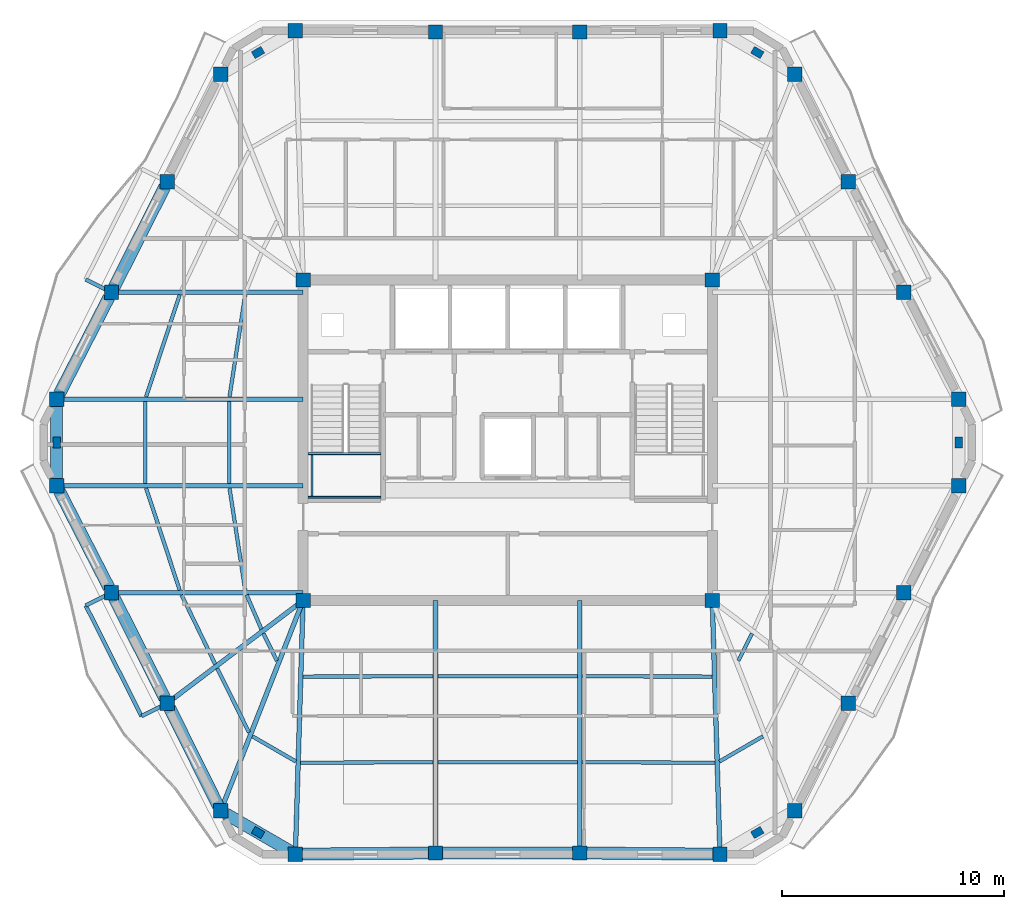
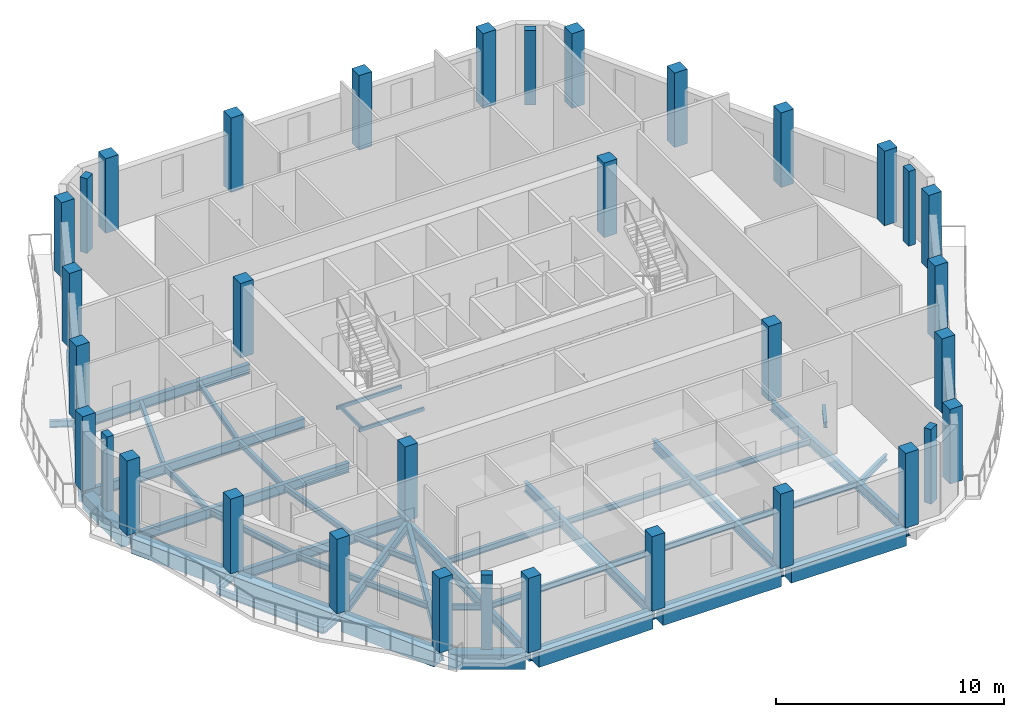
# One storey, part 1 of 11: 46 beams, 34 columns.
"""IFC4 building model written with IfcOpenShell, lengths in metres."""

import ifcopenshell
import ifcopenshell.guid

model = None  # the IFC model being written
_history = None  # IfcOwnerHistory: only IFC2X3 demands one
_inside = {}  # id of a spatial element -> (the spatial element, [elements in it])
_under = {}  # id of a project, library or spatial element -> (it, [spatial elements below it])
_declared = {}  # id of a project -> (the project, [libraries it declares])
_typed = {}  # id of a type object -> (the type object, [elements of that type])
_made_of = {}  # id of a material, layer set ... -> (it, [elements and type objects made of it])


def new_model(schema):
    """Start an empty IFC model of exactly this schema.

    Asked for "IFC4X3", IfcOpenShell would pick the latest addendum, in which some entities
    have other attributes; the version numbers below select the first issue.
    IFC2X3 requires an IfcOwnerHistory on every rooted entity: one is made here for all.
    """
    global model, _history
    if schema == "IFC4X3":
        model = ifcopenshell.file(schema_version=(4, 3, 0, 0))
    else:
        model = ifcopenshell.file(schema=schema)
    _inside.clear()
    _under.clear()
    _declared.clear()
    _typed.clear()
    _made_of.clear()
    _history = None
    if model.schema == "IFC2X3":
        org = make("IfcOrganization", Name="unknown")
        user = make(
            "IfcPersonAndOrganization",
            ThePerson=make("IfcPerson", FamilyName="unknown"),
            TheOrganization=org,
        )
        app = make(
            "IfcApplication",
            ApplicationDeveloper=org,
            Version="unknown",
            ApplicationFullName="unknown",
            ApplicationIdentifier="unknown",
        )
        _history = make(
            "IfcOwnerHistory",
            OwningUser=user,
            OwningApplication=app,
            ChangeAction="ADDED",
            CreationDate=0,
        )
    return model


def make(cls, **values):
    """One entity of the class cls with the attributes given. An attribute that is None is left unset."""
    return model.create_entity(
        cls, **{name: value for name, value in values.items() if value is not None}
    )


def rooted(cls, **values):
    """An entity with a GlobalId (a new one), such as an element, a storey or a relation."""
    return make(cls, GlobalId=ifcopenshell.guid.new(), OwnerHistory=_history, **values)


def si_unit(unit_type, name, prefix=None):
    """IfcSIUnit, for example si_unit("LENGTHUNIT", "METRE", prefix="MILLI")."""
    return make("IfcSIUnit", UnitType=unit_type, Prefix=prefix, Name=name)


def assignment(units):
    """IfcUnitAssignment: the units of a project."""
    return None if units is None else make("IfcUnitAssignment", Units=units)


def point(xyz):
    """IfcCartesianPoint."""
    return None if xyz is None else make("IfcCartesianPoint", Coordinates=xyz)


def direction(xyz):
    """IfcDirection."""
    return None if xyz is None else make("IfcDirection", DirectionRatios=xyz)


def frame(location, z_axis=None, x_axis=None):
    """IfcAxis2Placement3D, a coordinate frame: its origin and axes. An axis left out is left unset."""
    return make(
        "IfcAxis2Placement3D",
        Location=point(location),
        Axis=direction(z_axis),
        RefDirection=direction(x_axis),
    )


def frame_2d(location, x_axis=None):
    """IfcAxis2Placement2D, a coordinate frame in the plane: its origin and x axis."""
    return make(
        "IfcAxis2Placement2D", Location=point(location), RefDirection=direction(x_axis)
    )


def origin():
    """The frame at (0, 0, 0) with its axes left unset."""
    return frame((0.0, 0.0, 0.0))


def origin_2d():
    """The frame at (0, 0) in the plane with its x axis left unset."""
    return frame_2d((0.0, 0.0))


def place(relative_to, where):
    """IfcLocalPlacement: puts the frame where relative to a parent placement (None: the world)."""
    return make(
        "IfcLocalPlacement", PlacementRelTo=relative_to, RelativePlacement=where
    )


def context(
    kind, dimensions, precision=None, world=None, true_north=None, identifier=None
):
    """IfcGeometricRepresentationContext, for example the 3D "Model" context."""
    return make(
        "IfcGeometricRepresentationContext",
        ContextIdentifier=identifier,
        ContextType=kind,
        CoordinateSpaceDimension=dimensions,
        Precision=precision,
        WorldCoordinateSystem=world,
        TrueNorth=true_north,
    )


def subcontext(parent, identifier, kind, view, scale=None):
    """IfcGeometricRepresentationSubContext, for example "Body" below "Model"."""
    return make(
        "IfcGeometricRepresentationSubContext",
        ContextIdentifier=identifier,
        ContextType=kind,
        ParentContext=parent,
        TargetScale=scale,
        TargetView=view,
    )


def project(units=None, contexts=None):
    """IfcProject with its units and contexts."""
    return rooted(
        "IfcProject",
        Name="project",
        RepresentationContexts=contexts,
        UnitsInContext=assignment(units),
    )


def spatial(cls, under=None, at=None, **own):
    """A site, building, storey or space (cls), placed at a placement, below another one or the project."""
    s = rooted(cls, ObjectPlacement=at, **own)
    if under is not None:
        _under.setdefault(under.id(), (under, []))[1].append(s)
    return s


def profile(cls, at=None, kind="AREA", **sizes):
    """A parametric profile (cls). Its sizes go by their IFC names, for example OverallWidth=200.0."""
    return make(cls, ProfileType=kind, Position=at, **sizes)


def rectangle(**sizes):
    """IfcRectangleProfileDef."""
    return profile("IfcRectangleProfileDef", **sizes)


def hollow_rectangle(**sizes):
    """IfcRectangleHollowProfileDef."""
    return profile("IfcRectangleHollowProfileDef", **sizes)


def i_section(**sizes):
    """IfcIShapeProfileDef."""
    return profile("IfcIShapeProfileDef", **sizes)


def extrude(swept, where, along, depth):
    """IfcExtrudedAreaSolid: the profile swept, set in the frame where, extruded along a direction by depth."""
    return make(
        "IfcExtrudedAreaSolid",
        SweptArea=swept,
        Position=where,
        ExtrudedDirection=direction(along),
        Depth=depth,
    )


def shape(context_of_items, identifier, shape_type, items):
    """IfcShapeRepresentation: the items that make up one representation, for example the "Body"."""
    return make(
        "IfcShapeRepresentation",
        ContextOfItems=context_of_items,
        RepresentationIdentifier=identifier,
        RepresentationType=shape_type,
        Items=items,
    )


def material(Name=None, Category=None):
    """IfcMaterial."""
    return make("IfcMaterial", Name=Name, Category=Category)


def material_profile(
    of_material, cross_section, Name=None, Category=None, Priority=None
):
    """IfcMaterialProfile: a cross section and its material."""
    return make(
        "IfcMaterialProfile",
        Name=Name,
        Material=of_material,
        Profile=cross_section,
        Priority=Priority,
        Category=Category,
    )


def profile_set(profiles, Name=None, composite=None):
    """IfcMaterialProfileSet."""
    return make(
        "IfcMaterialProfileSet",
        Name=Name,
        MaterialProfiles=profiles,
        CompositeProfile=composite,
    )


def made_of(thing, what):
    """Note that an element or type object is made of a material, layer set ...; save() writes the relation."""
    if what is not None:
        _made_of.setdefault(what.id(), (what, []))[1].append(thing)
    return thing


def type_object(cls, material=None, **own):
    """A type object (cls), such as IfcWallType, which elements share."""
    return made_of(rooted(cls, **own), material)


def element(
    cls,
    number,
    at=None,
    inside=None,
    cuts=None,
    type_object=None,
    material=None,
    context=None,
    identifier="Body",
    shape_type=None,
    held_by="IfcProductDefinitionShape",
    body=None,
    shapes=None,
    **own,
):
    """One element of the class cls, such as IfcWall. Its Tag is "e" and its number.

    at: its placement. inside: the storey or other place that contains it. cuts: it is an
    opening in that element (IfcRelVoidsElement). A single representation is given by context,
    identifier, shape_type and body (its items); several are given by shapes. held_by: the class
    of the entity that holds the representations. save() writes the other relations.
    """
    e = rooted(cls, Tag="e%d" % number, ObjectPlacement=at, **own)
    if body is not None:
        shapes = [shape(context, identifier, shape_type, body)]
    if shapes is not None:
        e.Representation = make(held_by, Representations=shapes)
    if inside is not None:
        _inside.setdefault(inside.id(), (inside, []))[1].append(e)
    if cuts is not None:
        rooted(
            "IfcRelVoidsElement", RelatingBuildingElement=cuts, RelatedOpeningElement=e
        )
    if type_object is not None:
        _typed.setdefault(type_object.id(), (type_object, []))[1].append(e)
    return made_of(e, material)


def aggregate(whole, parts):
    """IfcRelAggregates: a whole, such as a stair, and the parts it consists of."""
    return rooted("IfcRelAggregates", RelatingObject=whole, RelatedObjects=parts)


def save(model, path):
    """Write the relations noted so far, then the file.

    IfcRelAggregates (storeys below a building ...), IfcRelContainedInSpatialStructure (elements
    in a storey), IfcRelDefinesByType, IfcRelAssociatesMaterial and IfcRelDeclares: one each for
    every whole, place, type object, material and project.
    """
    for whole, parts in _under.values():
        aggregate(whole, parts)
    for where, things in _inside.values():
        rooted(
            "IfcRelContainedInSpatialStructure",
            RelatedElements=things,
            RelatingStructure=where,
        )
    for kind, things in _typed.values():
        rooted("IfcRelDefinesByType", RelatedObjects=things, RelatingType=kind)
    for what, things in _made_of.values():
        rooted("IfcRelAssociatesMaterial", RelatedObjects=things, RelatingMaterial=what)
    for by, libraries in _declared.values():
        rooted("IfcRelDeclares", RelatingContext=by, RelatedDefinitions=libraries)
    model.write(path)


model = new_model("IFC4")

# Units and contexts
model_context = context("Model", 3, precision=1e-05, world=origin(), true_north=direction((0.0, 1.0)))
body_context = subcontext(model_context, "Body", "Model", "MODEL_VIEW")
ifc_project = project(units=[si_unit("LENGTHUNIT", "METRE"), si_unit("AREAUNIT", "SQUARE_METRE"), si_unit("VOLUMEUNIT", "CUBIC_METRE"), si_unit("PLANEANGLEUNIT", "RADIAN"), si_unit("MASSUNIT", "GRAM", prefix="KILO")], contexts=[model_context])

# Site, building, storey
site_placement = place(None, origin())
site = spatial("IfcSite", under=ifc_project, at=site_placement, CompositionType="ELEMENT")
building_placement = place(site_placement, origin())
building = spatial("IfcBuilding", under=site, at=building_placement, Name="Cinnabar Lancet Tower", CompositionType="ELEMENT")
storey_placement = place(building_placement, frame((0.0, 0.0, 283.5)))
storey = spatial("IfcBuildingStorey", under=building, at=storey_placement, Name="L75", CompositionType="ELEMENT", Elevation=283.5)

# Columns
ifc_material_1 = material(Name="Concrete C50/60", Category="concrete")
ifc_material_profile_1 = material_profile(ifc_material_1, rectangle(XDim=0.64990234375, YDim=0.64990234375, at=origin_2d()), Name="RC-COL 650x650")
ifc_profile_set_1 = profile_set([ifc_material_profile_1], Name="Concrete C50/60")
column_type_1 = type_object("IfcColumnType", Name="STR-COL-CORE-650B", PredefinedType="COLUMN", material=ifc_profile_set_1)
for number, where, z_axis, x_axis, name in (
    (1, (23.175048828125, 18.675048828125, 0.0), (0.0, 0.0, 1.0), (1.0, 0.0, 0.0), "L75 Core Corner Column SW"),
    (2, (41.625, 18.675048828125, 0.0), (0.0, 0.0, 1.0), (1.0, 0.0, 0.0), "L75 Core Corner Column SE"),
    (3, (41.625, 33.125, 0.0), (0.0, 0.0, 1.0), (1.0, 0.0, 0.0), "L75 Core Corner Column NE"),
    (4, (23.175048828125, 33.125, 0.0), (0.0, 0.0, 1.0), (1.0, 0.0, 0.0), "L75 Core Corner Column NW"),
):
    element("IfcColumn", number, at=place(storey_placement, frame(where, z_axis=z_axis, x_axis=x_axis)), inside=storey, type_object=column_type_1, Name=name, PredefinedType="COLUMN", context=body_context, shape_type="SweptSolid", body=[
        extrude(rectangle(XDim=0.64990234375, YDim=0.64990234375, at=origin_2d()), origin(), (0.0, 0.0, 1.0), 4.0),
    ])
ifc_material_2 = material(Name="Concrete C60/75", Category="concrete")
ifc_material_profile_2 = material_profile(ifc_material_2, rectangle(XDim=0.5, YDim=0.35009765625, at=origin_2d()), Name="RC-PIL 500x350")
ifc_profile_set_2 = profile_set([ifc_material_profile_2], Name="Concrete C60/75")
column_type_2 = type_object("IfcColumnType", Name="STR-COL-PIL-500", PredefinedType="PILASTER", material=ifc_profile_set_2)
for number, where, z_axis, x_axis, name in (
    (5, (21.14306640625, 8.215087890625, 0.0), (0.0, 0.0, 1.0), (0.865256437757, -0.501329529272, 0.0), "L75 Chamfered Corner Pilaster 1"),
    (6, (43.656982421875, 8.215087890625, 0.0), (0.0, 0.0, 1.0), (0.865256437757, 0.501329529272, 0.0), "L75 Chamfered Corner Pilaster 2"),
    (7, (52.737060546875, 25.800048828125, 0.0), (0.0, 0.0, 1.0), (0.0, 1.0, 0.0), "L75 Chamfered Corner Pilaster 3"),
    (8, (43.656982421875, 43.385009765625, 0.0), (0.0, 0.0, 1.0), (-0.865256437757, 0.501329529272, 0.0), "L75 Chamfered Corner Pilaster 4"),
    (9, (21.14306640625, 43.385009765625, 0.0), (0.0, 0.0, 1.0), (-0.865256437757, -0.501329529272, 0.0), "L75 Chamfered Corner Pilaster 5"),
    (10, (12.06298828125, 25.800048828125, 0.0), (0.0, 0.0, 1.0), (0.0, -1.0, 0.0), "L75 Chamfered Corner Pilaster 6"),
):
    element("IfcColumn", number, at=place(storey_placement, frame(where, z_axis=z_axis, x_axis=x_axis)), inside=storey, type_object=column_type_2, Name=name, PredefinedType="PILASTER", context=body_context, shape_type="SweptSolid", body=[
        extrude(rectangle(XDim=0.5, YDim=0.35009765625, at=origin_2d()), origin(), (0.0, 0.0, 1.0), 4.0),
    ])
ifc_material_3 = material(Name="Concrete C50/60", Category="concrete")
ifc_material_profile_3 = material_profile(ifc_material_3, rectangle(XDim=0.64990234375, YDim=0.64990234375, at=origin_2d()), Name="RC-COL 650x650")
ifc_profile_set_3 = profile_set([ifc_material_profile_3], Name="Concrete C50/60")
column_type_3 = type_object("IfcColumnType", Name="STR-COL-TUBE-650", PredefinedType="COLUMN", material=ifc_profile_set_3)
for number, where, z_axis, x_axis, name in (
    (11, (22.827880859375, 7.239013671875, 0.0), (0.0, 0.0, 1.0), (1.0, 0.0, 0.0), "L75 Perimeter Tube Column 1"),
    (12, (29.14599609375, 7.2919921875, 0.0), (0.0, 0.0, 1.0), (1.0, 0.0, 0.0), "L75 Perimeter Tube Column 2"),
    (13, (35.654052734375, 7.2919921875, 0.0), (0.0, 0.0, 1.0), (1.0, 0.0, 0.0), "L75 Perimeter Tube Column 3"),
    (14, (41.971923828125, 7.239013671875, 0.0), (0.0, 0.0, 1.0), (1.0, 0.0, 0.0), "L75 Perimeter Tube Column 4"),
    (15, (45.341064453125, 9.19091796875, 0.0), (0.0, 0.0, 1.0), (1.0, 0.0, 0.0), "L75 Perimeter Tube Column 5"),
    (16, (47.7490234375, 14.0458984375, 0.0), (0.0, 0.0, 1.0), (1.0, 0.0, 0.0), "L75 Perimeter Tube Column 6"),
    (17, (50.263916015625, 19.032958984375, 0.0), (0.0, 0.0, 1.0), (1.0, 0.0, 0.0), "L75 Perimeter Tube Column 7"),
    (18, (52.737060546875, 23.844970703125, 0.0), (0.0, 0.0, 1.0), (1.0, 0.0, 0.0), "L75 Perimeter Tube Column 8"),
    (19, (52.737060546875, 27.7548828125, 0.0), (0.0, 0.0, 1.0), (1.0, 0.0, 0.0), "L75 Perimeter Tube Column 9"),
    (20, (50.263916015625, 32.56689453125, 0.0), (0.0, 0.0, 1.0), (1.0, 0.0, 0.0), "L75 Perimeter Tube Column 10"),
    (21, (47.7490234375, 37.553955078125, 0.0), (0.0, 0.0, 1.0), (1.0, 0.0, 0.0), "L75 Perimeter Tube Column 11"),
    (22, (45.341064453125, 42.408935546875, 0.0), (0.0, 0.0, 1.0), (1.0, 0.0, 0.0), "L75 Perimeter Tube Column 12"),
    (23, (41.971923828125, 44.361083984375, 0.0), (0.0, 0.0, 1.0), (1.0, 0.0, 0.0), "L75 Perimeter Tube Column 13"),
    (24, (35.654052734375, 44.30810546875, 0.0), (0.0, 0.0, 1.0), (1.0, 0.0, 0.0), "L75 Perimeter Tube Column 14"),
    (25, (29.14599609375, 44.30810546875, 0.0), (0.0, 0.0, 1.0), (1.0, 0.0, 0.0), "L75 Perimeter Tube Column 15"),
    (26, (22.827880859375, 44.361083984375, 0.0), (0.0, 0.0, 1.0), (1.0, 0.0, 0.0), "L75 Perimeter Tube Column 16"),
    (27, (19.458984375, 42.408935546875, 0.0), (0.0, 0.0, 1.0), (1.0, 0.0, 0.0), "L75 Perimeter Tube Column 17"),
    (28, (17.051025390625, 37.553955078125, 0.0), (0.0, 0.0, 1.0), (1.0, 0.0, 0.0), "L75 Perimeter Tube Column 18"),
    (29, (14.535888671875, 32.56689453125, 0.0), (0.0, 0.0, 1.0), (1.0, 0.0, 0.0), "L75 Perimeter Tube Column 19"),
    (30, (12.06298828125, 27.7548828125, 0.0), (0.0, 0.0, 1.0), (1.0, 0.0, 0.0), "L75 Perimeter Tube Column 20"),
    (31, (12.06298828125, 23.844970703125, 0.0), (0.0, 0.0, 1.0), (1.0, 0.0, 0.0), "L75 Perimeter Tube Column 21"),
    (32, (14.535888671875, 19.032958984375, 0.0), (0.0, 0.0, 1.0), (1.0, 0.0, 0.0), "L75 Perimeter Tube Column 22"),
    (33, (17.051025390625, 14.0458984375, 0.0), (0.0, 0.0, 1.0), (1.0, 0.0, 0.0), "L75 Perimeter Tube Column 23"),
    (34, (19.458984375, 9.19091796875, 0.0), (0.0, 0.0, 1.0), (1.0, 0.0, 0.0), "L75 Perimeter Tube Column 24"),
):
    element("IfcColumn", number, at=place(storey_placement, frame(where, z_axis=z_axis, x_axis=x_axis)), inside=storey, type_object=column_type_3, Name=name, PredefinedType="COLUMN", context=body_context, shape_type="SweptSolid", body=[
        extrude(rectangle(XDim=0.64990234375, YDim=0.64990234375, at=origin_2d()), origin(), (0.0, 0.0, 1.0), 4.0),
    ])

# Beams
ifc_material_4 = material(Name="Structural steel S355", Category="steel")
ifc_material_profile_4 = material_profile(ifc_material_4, i_section(OverallWidth=0.1650390625, OverallDepth=0.303466796875, WebThickness=0.006103515625, FlangeThickness=0.01025390625, FilletRadius=0.0087890625, at=origin_2d()), Name="UKB 305x165x40")
ifc_profile_set_4 = profile_set([ifc_material_profile_4], Name="Structural steel S355")
beam_type_1 = type_object("IfcBeamType", Name="STR-BM-JST-305", PredefinedType="JOIST", material=ifc_profile_set_4)
beam_1_placement = place(storey_placement, frame((16.097900390625, 23.739990234375, -0.35205078125), z_axis=(0.312536616989, -0.949905712711, 0.0), x_axis=(0.949905712711, 0.312536616989, 0.0)))
element("IfcBeam", 35, at=beam_1_placement, inside=storey, type_object=beam_type_1, Name="L75 Secondary Floor Joist 1", PredefinedType="JOIST", context=body_context, shape_type="SweptSolid", body=[
    extrude(i_section(OverallWidth=0.1650390625, OverallDepth=0.303466796875, WebThickness=0.006103515625, FlangeThickness=0.01025390625, FilletRadius=0.0087890625, at=origin_2d()), origin(), (0.0, 0.0, 1.0), 4.8447265625),
])
beam_2_placement = place(storey_placement, frame((19.85791015625, 23.739990234375, -0.35205078125), z_axis=(0.152262059154, -0.988340156698, 0.0), x_axis=(0.988340156698, 0.152262059154, 0.0)))
element("IfcBeam", 36, at=beam_2_placement, inside=storey, type_object=beam_type_1, Name="L75 Secondary Floor Joist 2", PredefinedType="JOIST", context=body_context, shape_type="SweptSolid", body=[
    extrude(i_section(OverallWidth=0.1650390625, OverallDepth=0.303466796875, WebThickness=0.006103515625, FlangeThickness=0.01025390625, FilletRadius=0.0087890625, at=origin_2d()), origin(), (0.0, 0.0, 1.0), 4.65625),
])
beam_3_placement = place(storey_placement, frame((17.697021484375, 18.927978515625, -0.35205078125), z_axis=(0.43610936109, -0.899893674369, 0.0), x_axis=(0.899893674369, 0.43610936109, 0.0)))
element("IfcBeam", 37, at=beam_3_placement, inside=storey, type_object=beam_type_1, Name="L75 Secondary Floor Joist 3", PredefinedType="JOIST", context=body_context, shape_type="SweptSolid", body=[
    extrude(i_section(OverallWidth=0.1650390625, OverallDepth=0.303466796875, WebThickness=0.006103515625, FlangeThickness=0.01025390625, FilletRadius=0.0087890625, at=origin_2d()), origin(), (0.0, 0.0, 1.0), 3.467041015625),
])
beam_4_placement = place(storey_placement, frame((20.62890625, 18.927978515625, -0.35205078125), z_axis=(0.396302440144, -0.91812002262, 0.0), x_axis=(0.91812002262, 0.396302440144, 0.0)))
element("IfcBeam", 38, at=beam_4_placement, inside=storey, type_object=beam_type_1, Name="L75 Secondary Floor Joist 4", PredefinedType="JOIST", context=body_context, shape_type="SweptSolid", body=[
    extrude(i_section(OverallWidth=0.1650390625, OverallDepth=0.303466796875, WebThickness=0.006103515625, FlangeThickness=0.01025390625, FilletRadius=0.0087890625, at=origin_2d()), origin(), (0.0, 0.0, 1.0), 1.6806640625),
])
beam_5_placement = place(storey_placement, frame((19.302978515625, 15.616943359375, -0.35205078125), z_axis=(0.444330443712, -0.895862967641, 0.0), x_axis=(0.895862967641, 0.444330443712, 0.0)))
element("IfcBeam", 39, at=beam_5_placement, inside=storey, type_object=beam_type_1, Name="L75 Secondary Floor Joist 5", PredefinedType="JOIST", context=body_context, shape_type="SweptSolid", body=[
    extrude(i_section(OverallWidth=0.1650390625, OverallDepth=0.303466796875, WebThickness=0.006103515625, FlangeThickness=0.01025390625, FilletRadius=0.0087890625, at=origin_2d()), origin(), (0.0, 0.0, 1.0), 3.220458984375),
])
beam_6_placement = place(storey_placement, frame((21.385009765625, 17.19091796875, -0.35205078125), z_axis=(0.444093192127, -0.89598060063, 0.0), x_axis=(0.89598060063, 0.444093192127, 0.0)))
element("IfcBeam", 40, at=beam_6_placement, inside=storey, type_object=beam_type_1, Name="L75 Secondary Floor Joist 6", PredefinedType="JOIST", context=body_context, shape_type="SweptSolid", body=[
    extrude(i_section(OverallWidth=0.1650390625, OverallDepth=0.303466796875, WebThickness=0.006103515625, FlangeThickness=0.01025390625, FilletRadius=0.0087890625, at=origin_2d()), origin(), (0.0, 0.0, 1.0), 1.378173828125),
])
beam_7_placement = place(storey_placement, frame((20.887939453125, 12.552001953125, -0.35205078125), z_axis=(0.865426285481, -0.501036270542, 0.0), x_axis=(0.501036270542, 0.865426285481, 0.0)))
element("IfcBeam", 41, at=beam_7_placement, inside=storey, type_object=beam_type_1, Name="L75 Secondary Floor Joist 7", PredefinedType="JOIST", context=body_context, shape_type="SweptSolid", body=[
    extrude(i_section(OverallWidth=0.1650390625, OverallDepth=0.303466796875, WebThickness=0.006103515625, FlangeThickness=0.01025390625, FilletRadius=0.0087890625, at=origin_2d()), origin(), (0.0, 0.0, 1.0), 2.267333984375),
])
beam_8_placement = place(storey_placement, frame((23.05810546875, 11.35693359375, -0.35205078125), z_axis=(0.999985712428, 0.005345553266, 0.0), x_axis=(-0.005345553266, 0.999985712428, 0.0)))
element("IfcBeam", 42, at=beam_8_placement, inside=storey, type_object=beam_type_1, Name="L75 Secondary Floor Joist 8", PredefinedType="JOIST", context=body_context, shape_type="SweptSolid", body=[
    extrude(i_section(OverallWidth=0.1650390625, OverallDepth=0.303466796875, WebThickness=0.006103515625, FlangeThickness=0.01025390625, FilletRadius=0.0087890625, at=origin_2d()), origin(), (0.0, 0.0, 1.0), 5.98291015625),
])
beam_9_placement = place(storey_placement, frame((23.176025390625, 15.243896484375, -0.35205078125), z_axis=(0.999996226008, 0.002747356738, 0.0), x_axis=(-0.002747356738, 0.999996226008, 0.0)))
element("IfcBeam", 43, at=beam_9_placement, inside=storey, type_object=beam_type_1, Name="L75 Secondary Floor Joist 9", PredefinedType="JOIST", context=body_context, shape_type="SweptSolid", body=[
    extrude(i_section(OverallWidth=0.1650390625, OverallDepth=0.303466796875, WebThickness=0.006103515625, FlangeThickness=0.01025390625, FilletRadius=0.0087890625, at=origin_2d()), origin(), (0.0, 0.0, 1.0), 5.864990234375),
])
for number, where, z_axis, x_axis, name in (
    (44, (29.2509765625, 11.389892578125, -0.35205078125), (1.0, 0.0, 0.0), (0.0, 1.0, 0.0), "L75 Secondary Floor Joist 10"),
    (45, (29.2509765625, 15.260009765625, -0.35205078125), (1.0, 0.0, 0.0), (0.0, 1.0, 0.0), "L75 Secondary Floor Joist 11"),
):
    element("IfcBeam", number, at=place(storey_placement, frame(where, z_axis=z_axis, x_axis=x_axis)), inside=storey, type_object=beam_type_1, Name=name, PredefinedType="JOIST", context=body_context, shape_type="SweptSolid", body=[
        extrude(i_section(OverallWidth=0.1650390625, OverallDepth=0.303466796875, WebThickness=0.006103515625, FlangeThickness=0.01025390625, FilletRadius=0.0087890625, at=origin_2d()), origin(), (0.0, 0.0, 1.0), 6.298095703125),
    ])
beam_10_placement = place(storey_placement, frame((35.759033203125, 11.388916015625, -0.35205078125), z_axis=(0.999985712428, -0.005345553266, 0.0), x_axis=(0.005345553266, 0.999985712428, 0.0)))
element("IfcBeam", 46, at=beam_10_placement, inside=storey, type_object=beam_type_1, Name="L75 Secondary Floor Joist 12", PredefinedType="JOIST", context=body_context, shape_type="SweptSolid", body=[
    extrude(i_section(OverallWidth=0.1650390625, OverallDepth=0.303466796875, WebThickness=0.006103515625, FlangeThickness=0.01025390625, FilletRadius=0.0087890625, at=origin_2d()), origin(), (0.0, 0.0, 1.0), 5.98291015625),
])
beam_11_placement = place(storey_placement, frame((35.759033203125, 15.260009765625, -0.35205078125), z_axis=(0.999996226008, -0.002747356738, 0.0), x_axis=(0.002747356738, 0.999996226008, 0.0)))
element("IfcBeam", 47, at=beam_11_placement, inside=storey, type_object=beam_type_1, Name="L75 Secondary Floor Joist 13", PredefinedType="JOIST", context=body_context, shape_type="SweptSolid", body=[
    extrude(i_section(OverallWidth=0.1650390625, OverallDepth=0.303466796875, WebThickness=0.006103515625, FlangeThickness=0.01025390625, FilletRadius=0.0087890625, at=origin_2d()), origin(), (0.0, 0.0, 1.0), 5.864990234375),
])
beam_12_placement = place(storey_placement, frame((41.949951171875, 11.416015625, -0.35205078125), z_axis=(0.865426285481, 0.501036270542, 0.0), x_axis=(-0.501036270542, 0.865426285481, 0.0)))
element("IfcBeam", 48, at=beam_12_placement, inside=storey, type_object=beam_type_1, Name="L75 Secondary Floor Joist 14", PredefinedType="JOIST", context=body_context, shape_type="SweptSolid", body=[
    extrude(i_section(OverallWidth=0.1650390625, OverallDepth=0.303466796875, WebThickness=0.006103515625, FlangeThickness=0.01025390625, FilletRadius=0.0087890625, at=origin_2d()), origin(), (0.0, 0.0, 1.0), 2.267333984375),
])
beam_13_placement = place(storey_placement, frame((42.802978515625, 15.9560546875, -0.35205078125), z_axis=(0.444093192127, 0.89598060063, 0.0), x_axis=(-0.89598060063, 0.444093192127, 0.0)))
element("IfcBeam", 49, at=beam_13_placement, inside=storey, type_object=beam_type_1, Name="L75 Secondary Floor Joist 16", PredefinedType="JOIST", context=body_context, shape_type="SweptSolid", body=[
    extrude(i_section(OverallWidth=0.1650390625, OverallDepth=0.303466796875, WebThickness=0.006103515625, FlangeThickness=0.01025390625, FilletRadius=0.0087890625, at=origin_2d()), origin(), (0.0, 0.0, 1.0), 1.378173828125),
])
beam_14_placement = place(storey_placement, frame((17.612060546875, 32.4619140625, -0.35205078125), z_axis=(-0.312551578319, -0.949900790025, 0.0), x_axis=(0.949900790025, -0.312551578319, 0.0)))
element("IfcBeam", 50, at=beam_14_placement, inside=storey, type_object=beam_type_1, Name="L75 Secondary Floor Joist 41", PredefinedType="JOIST", context=body_context, shape_type="SweptSolid", body=[
    extrude(i_section(OverallWidth=0.1650390625, OverallDepth=0.303466796875, WebThickness=0.006103515625, FlangeThickness=0.01025390625, FilletRadius=0.0087890625, at=origin_2d()), origin(), (0.0, 0.0, 1.0), 4.844482421875),
])
beam_15_placement = place(storey_placement, frame((20.56689453125, 32.4619140625, -0.35205078125), z_axis=(-0.152269949853, -0.988338941038, 0.0), x_axis=(0.988338941038, -0.152269949853, 0.0)))
element("IfcBeam", 51, at=beam_15_placement, inside=storey, type_object=beam_type_1, Name="L75 Secondary Floor Joist 42", PredefinedType="JOIST", context=body_context, shape_type="SweptSolid", body=[
    extrude(i_section(OverallWidth=0.1650390625, OverallDepth=0.303466796875, WebThickness=0.006103515625, FlangeThickness=0.01025390625, FilletRadius=0.0087890625, at=origin_2d()), origin(), (0.0, 0.0, 1.0), 4.656005859375),
])
for number, where, z_axis, x_axis, name in (
    (52, (16.06298828125, 27.64990234375, -0.35205078125), (0.0, -1.0, 0.0), (1.0, 0.0, 0.0), "L75 Secondary Floor Joist 43"),
    (53, (19.841064453125, 27.64990234375, -0.35205078125), (0.0, -1.0, 0.0), (1.0, 0.0, 0.0), "L75 Secondary Floor Joist 44"),
):
    element("IfcBeam", number, at=place(storey_placement, frame(where, z_axis=z_axis, x_axis=x_axis)), inside=storey, type_object=beam_type_1, Name=name, PredefinedType="JOIST", context=body_context, shape_type="SweptSolid", body=[
        extrude(i_section(OverallWidth=0.1650390625, OverallDepth=0.303466796875, WebThickness=0.006103515625, FlangeThickness=0.01025390625, FilletRadius=0.0087890625, at=origin_2d()), origin(), (0.0, 0.0, 1.0), 3.699951171875),
    ])
ifc_material_5 = material(Name="Structural steel S355", Category="steel")
ifc_material_profile_5 = material_profile(ifc_material_5, hollow_rectangle(XDim=0.10009765625, YDim=0.199951171875, WallThickness=0.008056640625, InnerFilletRadius=0.00390625, OuterFilletRadius=0.011962890625, at=origin_2d()), Name="RHS 200x100x8")
ifc_profile_set_5 = profile_set([ifc_material_profile_5], Name="Structural steel S355")
beam_type_2 = type_object("IfcBeamType", Name="STR-BM-LND-203", PredefinedType="BEAM", material=ifc_profile_set_5)
for number, where, z_axis, x_axis, name in (
    (54, (23.39990234375, 23.330078125, 1.699951171875), (1.0, 0.0, 0.0), (0.0, 1.0, 0.0), "L75 ST-1-L75 Landing Support Beam S"),
    (55, (23.39990234375, 25.294921875, 1.699951171875), (1.0, 0.0, 0.0), (0.0, 1.0, 0.0), "L75 ST-1-L75 Landing Support Beam N"),
):
    element("IfcBeam", number, at=place(storey_placement, frame(where, z_axis=z_axis, x_axis=x_axis)), inside=storey, type_object=beam_type_2, Name=name, PredefinedType="BEAM", context=body_context, shape_type="SweptSolid", body=[
        extrude(hollow_rectangle(XDim=0.10009765625, YDim=0.199951171875, WallThickness=0.008056640625, InnerFilletRadius=0.00390625, OuterFilletRadius=0.011962890625, at=origin_2d()), origin(), (0.0, 0.0, 1.0), 3.280029296875),
    ])
beam_16_placement = place(storey_placement, frame((23.580078125, 23.3798828125, 1.699951171875), z_axis=(0.0, 1.0, 0.0), x_axis=(-1.0, 0.0, 0.0)))
element("IfcBeam", 56, at=beam_16_placement, inside=storey, type_object=beam_type_2, Name="L75 ST-1-L75 Landing Side Trimmer Beam", PredefinedType="BEAM", context=body_context, shape_type="SweptSolid", body=[
    extrude(hollow_rectangle(XDim=0.10009765625, YDim=0.199951171875, WallThickness=0.008056640625, InnerFilletRadius=0.00390625, OuterFilletRadius=0.011962890625, at=origin_2d()), origin(), (0.0, 0.0, 1.0), 1.865234375),
])
ifc_material_6 = material(Name="Concrete C50/60", Category="concrete")
ifc_material_profile_6 = material_profile(ifc_material_6, rectangle(XDim=0.550048828125, YDim=0.800048828125, at=origin_2d()), Name="RC-SB 550x800")
ifc_profile_set_6 = profile_set([ifc_material_profile_6], Name="Concrete C50/60")
beam_type_3 = type_object("IfcBeamType", Name="STR-BM-RCSB-800", PredefinedType="SPANDREL", material=ifc_profile_set_6)
beam_17_placement = place(storey_placement, frame((23.077880859375, 7.240966796875, -0.60009765625), z_axis=(0.999964432412, 0.008434092187, 0.0), x_axis=(-0.008434092187, 0.999964432412, 0.0)))
element("IfcBeam", 57, at=beam_17_placement, inside=storey, type_object=beam_type_3, Name="L75 Perimeter Spandrel 1", PredefinedType="SPANDREL", context=body_context, shape_type="SweptSolid", body=[
    extrude(rectangle(XDim=0.550048828125, YDim=0.800048828125, at=origin_2d()), origin(), (0.0, 0.0, 1.0), 5.818359375),
])
beam_18_placement = place(storey_placement, frame((29.39599609375, 7.2919921875, -0.60009765625), z_axis=(1.0, 0.0, 0.0), x_axis=(0.0, 1.0, 0.0)))
element("IfcBeam", 58, at=beam_18_placement, inside=storey, type_object=beam_type_3, Name="L75 Perimeter Spandrel 2", PredefinedType="SPANDREL", context=body_context, shape_type="SweptSolid", body=[
    extrude(rectangle(XDim=0.550048828125, YDim=0.800048828125, at=origin_2d()), origin(), (0.0, 0.0, 1.0), 6.008056640625),
])
beam_19_placement = place(storey_placement, frame((35.904052734375, 7.2900390625, -0.60009765625), z_axis=(0.999964429427, -0.00843444609, 0.0), x_axis=(0.00843444609, 0.999964429427, 0.0)))
element("IfcBeam", 59, at=beam_19_placement, inside=storey, type_object=beam_type_3, Name="L75 Perimeter Spandrel 3", PredefinedType="SPANDREL", context=body_context, shape_type="SweptSolid", body=[
    extrude(rectangle(XDim=0.550048828125, YDim=0.800048828125, at=origin_2d()), origin(), (0.0, 0.0, 1.0), 5.818115234375),
])
beam_20_placement = place(storey_placement, frame((16.93798828125, 37.3310546875, -0.60009765625), z_axis=(-0.450130146726, -0.892962961722, 0.0), x_axis=(0.892962961722, -0.450130146726, 0.0)))
element("IfcBeam", 60, at=beam_20_placement, inside=storey, type_object=beam_type_3, Name="L75 Perimeter Spandrel 18", PredefinedType="SPANDREL", context=body_context, shape_type="SweptSolid", body=[
    extrude(rectangle(XDim=0.550048828125, YDim=0.800048828125, at=origin_2d()), origin(), (0.0, 0.0, 1.0), 5.08544921875),
])
beam_21_placement = place(storey_placement, frame((14.422119140625, 32.344970703125, -0.60009765625), z_axis=(-0.457148063427, -0.889390604912, 0.0), x_axis=(0.889390604912, -0.457148063427, 0.0)))
element("IfcBeam", 61, at=beam_21_placement, inside=storey, type_object=beam_type_3, Name="L75 Perimeter Spandrel 19", PredefinedType="SPANDREL", context=body_context, shape_type="SweptSolid", body=[
    extrude(rectangle(XDim=0.550048828125, YDim=0.800048828125, at=origin_2d()), origin(), (0.0, 0.0, 1.0), 4.9111328125),
])
beam_22_placement = place(storey_placement, frame((12.06298828125, 27.5048828125, -0.60009765625), z_axis=(0.0, -1.0, 0.0), x_axis=(1.0, 0.0, 0.0)))
element("IfcBeam", 62, at=beam_22_placement, inside=storey, type_object=beam_type_3, Name="L75 Perimeter Spandrel 20", PredefinedType="SPANDREL", context=body_context, shape_type="SweptSolid", body=[
    extrude(rectangle(XDim=0.550048828125, YDim=0.800048828125, at=origin_2d()), origin(), (0.0, 0.0, 1.0), 3.409912109375),
])
beam_23_placement = place(storey_placement, frame((12.177001953125, 23.623046875, -0.60009765625), z_axis=(0.457127852293, -0.889400993174, 0.0), x_axis=(0.889400993174, 0.457127852293, 0.0)))
element("IfcBeam", 63, at=beam_23_placement, inside=storey, type_object=beam_type_3, Name="L75 Perimeter Spandrel 21", PredefinedType="SPANDREL", context=body_context, shape_type="SweptSolid", body=[
    extrude(rectangle(XDim=0.550048828125, YDim=0.800048828125, at=origin_2d()), origin(), (0.0, 0.0, 1.0), 4.911376953125),
])
beam_24_placement = place(storey_placement, frame((14.64892578125, 18.81005859375, -0.60009765625), z_axis=(0.450130146726, -0.892962961722, 0.0), x_axis=(0.892962961722, 0.450130146726, 0.0)))
element("IfcBeam", 64, at=beam_24_placement, inside=storey, type_object=beam_type_3, Name="L75 Perimeter Spandrel 22", PredefinedType="SPANDREL", context=body_context, shape_type="SweptSolid", body=[
    extrude(rectangle(XDim=0.550048828125, YDim=0.800048828125, at=origin_2d()), origin(), (0.0, 0.0, 1.0), 5.08544921875),
])
beam_25_placement = place(storey_placement, frame((17.162109375, 13.822021484375, -0.60009765625), z_axis=(0.44433276947, -0.895861814107, 0.0), x_axis=(0.895861814107, 0.44433276947, 0.0)))
element("IfcBeam", 65, at=beam_25_placement, inside=storey, type_object=beam_type_3, Name="L75 Perimeter Spandrel 23", PredefinedType="SPANDREL", context=body_context, shape_type="SweptSolid", body=[
    extrude(rectangle(XDim=0.550048828125, YDim=0.800048828125, at=origin_2d()), origin(), (0.0, 0.0, 1.0), 4.919189453125),
])
beam_26_placement = place(storey_placement, frame((19.675048828125, 9.06591796875, -0.60009765625), z_axis=(0.865230894194, -0.50137361292, 0.0), x_axis=(0.50137361292, 0.865230894194, 0.0)))
element("IfcBeam", 66, at=beam_26_placement, inside=storey, type_object=beam_type_3, Name="L75 Perimeter Spandrel 24", PredefinedType="SPANDREL", context=body_context, shape_type="SweptSolid", body=[
    extrude(rectangle(XDim=0.550048828125, YDim=0.800048828125, at=origin_2d()), origin(), (0.0, 0.0, 1.0), 3.39453125),
])
ifc_material_7 = material(Name="Structural steel S355", Category="steel")
ifc_material_profile_7 = material_profile(ifc_material_7, i_section(OverallWidth=0.209228515625, OverallDepth=0.533203125, WebThickness=0.010009765625, FlangeThickness=0.015625, FilletRadius=0.0126953125, at=origin_2d()), Name="UKB 533x210x92")
ifc_profile_set_7 = profile_set([ifc_material_profile_7], Name="Structural steel S355")
beam_type_4 = type_object("IfcBeamType", Name="STR-BM-UKB533-92", PredefinedType="BEAM", material=ifc_profile_set_7)
beam_27_placement = place(storey_placement, frame((17.051025390625, 14.0458984375, -0.467041015625), z_axis=(0.797735075719, 0.603008083667, 0.0), x_axis=(-0.603008083667, 0.797735075719, 0.0)))
element("IfcBeam", 67, at=beam_27_placement, inside=storey, type_object=beam_type_4, Name="L75 Corner Collector Girder 1", PredefinedType="BEAM", context=body_context, shape_type="SweptSolid", body=[
    extrude(i_section(OverallWidth=0.209228515625, OverallDepth=0.533203125, WebThickness=0.010009765625, FlangeThickness=0.015625, FilletRadius=0.0126953125, at=origin_2d()), origin(), (0.0, 0.0, 1.0), 7.6767578125),
])
beam_28_placement = place(storey_placement, frame((22.827880859375, 7.239013671875, -0.467041015625), z_axis=(0.030343393029, 0.999539533235, 0.0), x_axis=(-0.999539533235, 0.030343393029, 0.0)))
element("IfcBeam", 68, at=beam_28_placement, inside=storey, type_object=beam_type_4, Name="L75 Primary Floor Girder 1", PredefinedType="BEAM", context=body_context, shape_type="SweptSolid", body=[
    extrude(i_section(OverallWidth=0.209228515625, OverallDepth=0.533203125, WebThickness=0.010009765625, FlangeThickness=0.015625, FilletRadius=0.0126953125, at=origin_2d()), origin(), (0.0, 0.0, 1.0), 11.44140625),
])
for number, where, z_axis, x_axis, name in (
    (69, (29.14599609375, 7.2919921875, -0.467041015625), (0.0, 1.0, 0.0), (-1.0, 0.0, 0.0), "L75 Primary Floor Girder 2"),
    (70, (35.654052734375, 7.2919921875, -0.467041015625), (0.0, 1.0, 0.0), (-1.0, 0.0, 0.0), "L75 Primary Floor Girder 3"),
):
    element("IfcBeam", number, at=place(storey_placement, frame(where, z_axis=z_axis, x_axis=x_axis)), inside=storey, type_object=beam_type_4, Name=name, PredefinedType="BEAM", context=body_context, shape_type="SweptSolid", body=[
        extrude(i_section(OverallWidth=0.209228515625, OverallDepth=0.533203125, WebThickness=0.010009765625, FlangeThickness=0.015625, FilletRadius=0.0126953125, at=origin_2d()), origin(), (0.0, 0.0, 1.0), 11.383056640625),
    ])
beam_29_placement = place(storey_placement, frame((41.971923828125, 7.239013671875, -0.467041015625), z_axis=(-0.030322074123, 0.999540180193, 0.0), x_axis=(-0.999540180193, -0.030322074123, 0.0)))
element("IfcBeam", 71, at=beam_29_placement, inside=storey, type_object=beam_type_4, Name="L75 Primary Floor Girder 4", PredefinedType="BEAM", context=body_context, shape_type="SweptSolid", body=[
    extrude(i_section(OverallWidth=0.209228515625, OverallDepth=0.533203125, WebThickness=0.010009765625, FlangeThickness=0.015625, FilletRadius=0.0126953125, at=origin_2d()), origin(), (0.0, 0.0, 1.0), 11.44140625),
])
beam_30_placement = place(storey_placement, frame((14.535888671875, 32.56689453125, -0.467041015625), z_axis=(1.0, 0.0, 0.0), x_axis=(0.0, 1.0, 0.0)))
element("IfcBeam", 72, at=beam_30_placement, inside=storey, type_object=beam_type_4, Name="L75 Primary Floor Girder 19", PredefinedType="BEAM", context=body_context, shape_type="SweptSolid", body=[
    extrude(i_section(OverallWidth=0.209228515625, OverallDepth=0.533203125, WebThickness=0.010009765625, FlangeThickness=0.015625, FilletRadius=0.0126953125, at=origin_2d()), origin(), (0.0, 0.0, 1.0), 8.63916015625),
])
for number, where, z_axis, x_axis, name in (
    (73, (12.06298828125, 27.7548828125, -0.467041015625), (1.0, 0.0, 0.0), (0.0, 1.0, 0.0), "L75 Primary Floor Girder 20"),
    (74, (12.06298828125, 23.844970703125, -0.467041015625), (1.0, 0.0, 0.0), (0.0, 1.0, 0.0), "L75 Primary Floor Girder 21"),
):
    element("IfcBeam", number, at=place(storey_placement, frame(where, z_axis=z_axis, x_axis=x_axis)), inside=storey, type_object=beam_type_4, Name=name, PredefinedType="BEAM", context=body_context, shape_type="SweptSolid", body=[
        extrude(i_section(OverallWidth=0.209228515625, OverallDepth=0.533203125, WebThickness=0.010009765625, FlangeThickness=0.015625, FilletRadius=0.0126953125, at=origin_2d()), origin(), (0.0, 0.0, 1.0), 11.112060546875),
    ])
beam_31_placement = place(storey_placement, frame((14.535888671875, 19.032958984375, -0.467041015625), z_axis=(1.0, 0.0, 0.0), x_axis=(0.0, 1.0, 0.0)))
element("IfcBeam", 75, at=beam_31_placement, inside=storey, type_object=beam_type_4, Name="L75 Primary Floor Girder 22", PredefinedType="BEAM", context=body_context, shape_type="SweptSolid", body=[
    extrude(i_section(OverallWidth=0.209228515625, OverallDepth=0.533203125, WebThickness=0.010009765625, FlangeThickness=0.015625, FilletRadius=0.0126953125, at=origin_2d()), origin(), (0.0, 0.0, 1.0), 8.63916015625),
])
beam_32_placement = place(storey_placement, frame((19.458984375, 9.19091796875, -0.467041015625), z_axis=(0.364815017375, 0.931080019707, 0.0), x_axis=(-0.931080019707, 0.364815017375, 0.0)))
element("IfcBeam", 76, at=beam_32_placement, inside=storey, type_object=beam_type_4, Name="L75 Primary Floor Girder 24", PredefinedType="BEAM", context=body_context, shape_type="SweptSolid", body=[
    extrude(i_section(OverallWidth=0.209228515625, OverallDepth=0.533203125, WebThickness=0.010009765625, FlangeThickness=0.015625, FilletRadius=0.0126953125, at=origin_2d()), origin(), (0.0, 0.0, 1.0), 10.186279296875),
])
ifc_material_8 = material(Name="Structural steel S355", Category="steel")
ifc_material_profile_8 = material_profile(ifc_material_8, i_section(OverallWidth=0.17138671875, OverallDepth=0.35498046875, WebThickness=0.00732421875, FlangeThickness=0.011474609375, FilletRadius=0.01025390625, at=origin_2d()), Name="UKB 356x171x51")
ifc_profile_set_8 = profile_set([ifc_material_profile_8], Name="Structural steel S355")
beam_type_5 = type_object("IfcBeamType", Name="STR-BM-WAV-OUT", PredefinedType="BEAM", material=ifc_profile_set_8)
for number, where, z_axis, x_axis, name in (
    (77, (14.535888671875, 32.56689453125, -0.39794921875), (-0.892200264127, 0.451639998995, 0.0), (-0.451639998995, -0.892200264127, 0.0), "L75 Face 5 Balcony Outlooker B"),
    (78, (14.535888671875, 19.032958984375, -0.39794921875), (-0.89227592947, -0.451490493464, 0.0), (0.451490493464, -0.89227592947, 0.0), "L75 Face 6 Balcony Outlooker A"),
    (79, (17.051025390625, 14.0458984375, -0.39794921875), (-0.89227592947, -0.451490493464, 0.0), (0.451490493464, -0.89227592947, 0.0), "L75 Face 6 Balcony Outlooker B"),
):
    element("IfcBeam", number, at=place(storey_placement, frame(where, z_axis=z_axis, x_axis=x_axis)), inside=storey, type_object=beam_type_5, Name=name, PredefinedType="BEAM", context=body_context, shape_type="SweptSolid", body=[
        extrude(i_section(OverallWidth=0.17138671875, OverallDepth=0.35498046875, WebThickness=0.00732421875, FlangeThickness=0.011474609375, FilletRadius=0.01025390625, at=origin_2d()), origin(), (0.0, 0.0, 1.0), 1.300048828125),
    ])
ifc_material_9 = material(Name="Structural steel S355", Category="steel")
ifc_material_profile_9 = material_profile(ifc_material_9, i_section(OverallWidth=0.17138671875, OverallDepth=0.35498046875, WebThickness=0.00732421875, FlangeThickness=0.011474609375, FilletRadius=0.01025390625, at=origin_2d()), Name="UKB 356x171x51")
ifc_profile_set_9 = profile_set([ifc_material_profile_9], Name="Structural steel S355")
beam_type_6 = type_object("IfcBeamType", Name="STR-BM-WAV-TRIM", PredefinedType="SPANDREL", material=ifc_profile_set_9)
beam_33_placement = place(storey_placement, frame((13.3759765625, 18.446044921875, -0.39794921875), z_axis=(0.450305622338, -0.892874485295, 0.0), x_axis=(0.892874485295, 0.450305622338, 0.0)))
element("IfcBeam", 80, at=beam_33_placement, inside=storey, type_object=beam_type_6, Name="L75 Face 6 Balcony Edge Trimmer", PredefinedType="SPANDREL", context=body_context, shape_type="SweptSolid", body=[
    extrude(i_section(OverallWidth=0.17138671875, OverallDepth=0.35498046875, WebThickness=0.00732421875, FlangeThickness=0.011474609375, FilletRadius=0.01025390625, at=origin_2d()), origin(), (0.0, 0.0, 1.0), 5.58544921875),
])

save(model, "model.ifc")
